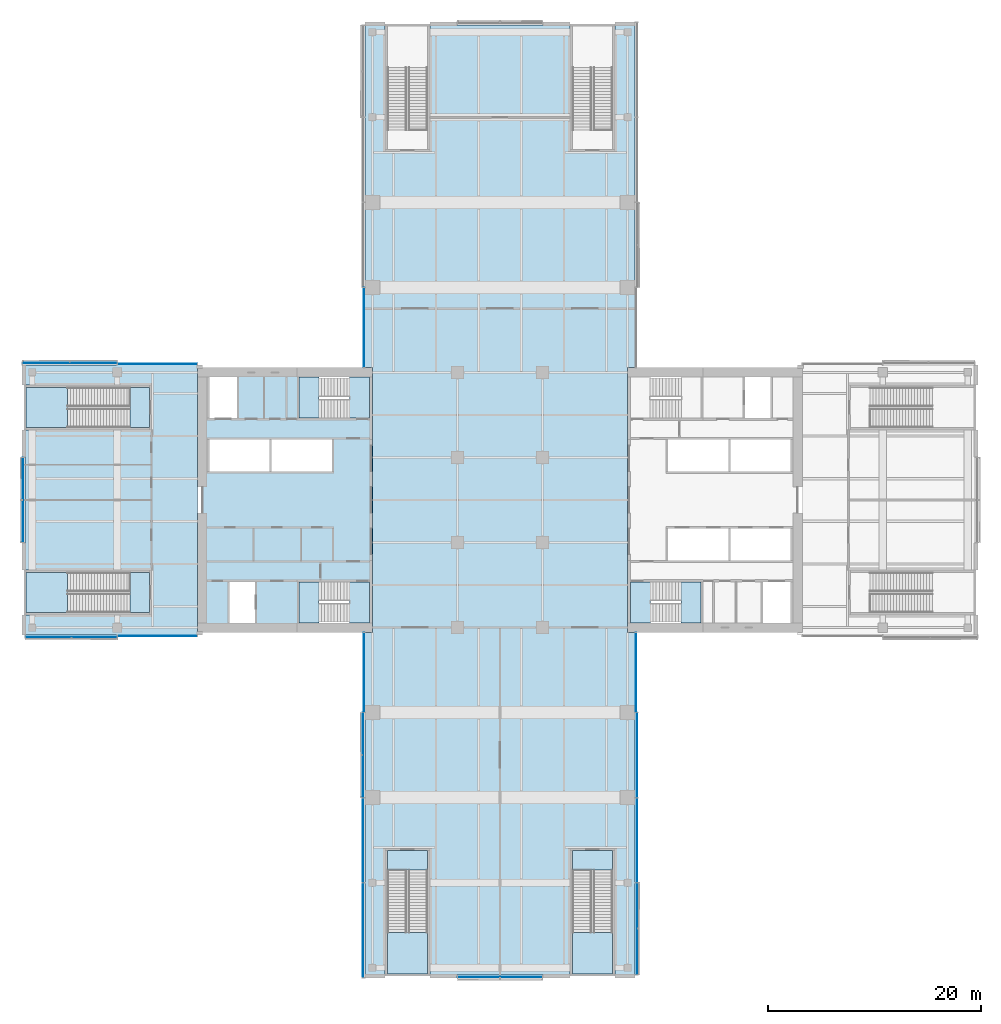
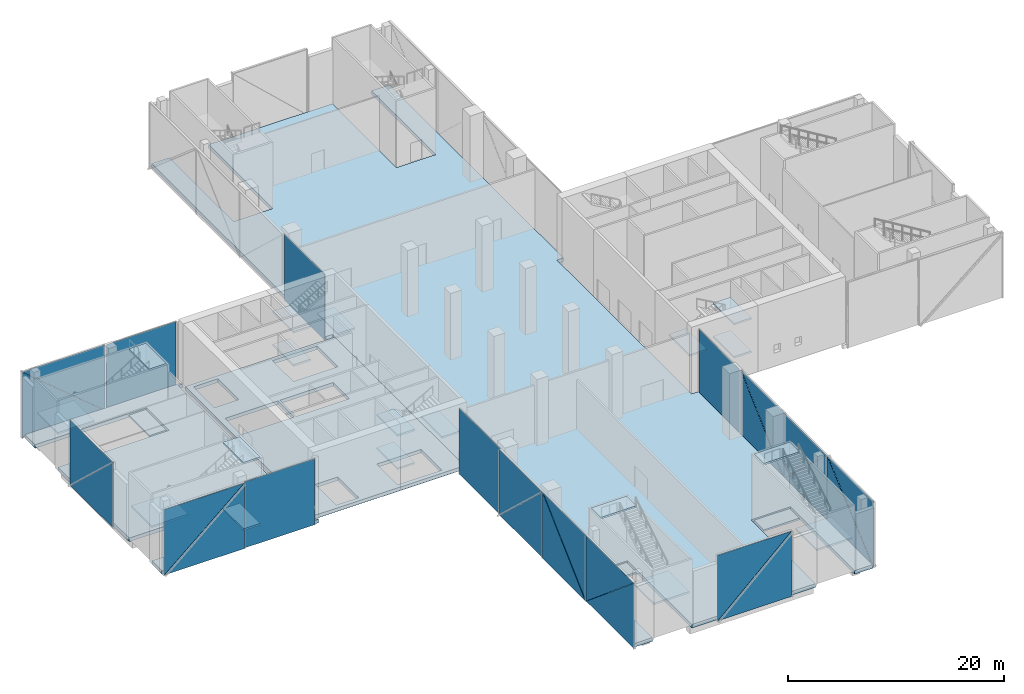
# One storey, part 12 of 25: 25 plates, 24 slabs, 18 elements without a shape of their own.
"""IFC4 building model written with IfcOpenShell, lengths in metres."""

from ifc_helpers import new_model, si_unit, direction, frame, origin, place, context, subcontext, project, spatial, polyline, outline, extrude, material, layer, layer_set, type_object, element, aggregate, save


model = new_model("IFC4")

# Units and contexts
model_context = context("Model", 3, precision=1e-05, world=origin(), true_north=direction((0.0, 1.0)))
body_context = subcontext(model_context, "Body", "Model", "MODEL_VIEW")
ifc_project = project(units=[si_unit("LENGTHUNIT", "METRE"), si_unit("AREAUNIT", "SQUARE_METRE"), si_unit("VOLUMEUNIT", "CUBIC_METRE"), si_unit("PLANEANGLEUNIT", "RADIAN"), si_unit("MASSUNIT", "GRAM", prefix="KILO")], contexts=[model_context])

# Site, building, storey
site_placement = place(None, origin())
site = spatial("IfcSite", under=ifc_project, at=site_placement, CompositionType="ELEMENT")
building_placement = place(site_placement, origin())
building = spatial("IfcBuilding", under=site, at=building_placement, Name="Crosswind Convention Tower", CompositionType="ELEMENT")
storey_placement = place(building_placement, frame((0.0, 0.0, 34.0)))
storey = spatial("IfcBuildingStorey", under=building, at=storey_placement, Name="L04", CompositionType="ELEMENT", Elevation=34.0)

# Slabs
ifc_material_1 = material(Name="Concrete C40/50", Category="concrete")
ifc_layer_1 = layer(ifc_material_1, 0.39990234375)
ifc_layer_set_1 = layer_set([ifc_layer_1], Name="Concrete C40/50")
slab_type_1 = type_object("IfcSlabType", Name="Composite floor slab 400", PredefinedType="FLOOR", material=ifc_layer_set_1)
slab_1_placement = place(storey_placement, frame((0.0, 0.0, -0.39990234375)))
element("IfcSlab", 1, at=slab_1_placement, inside=storey, type_object=slab_type_1, Name="Floor slab L04 part 1", PredefinedType="FLOOR", context=body_context, shape_type="SweptSolid", body=[
    extrude(outline(polyline([(97.0, 112.449951171875), (96.550048828125, 112.449951171875), (96.550048828125, 87.550048828125), (97.0, 87.550048828125), (97.0, 87.300048828125), (81.0, 87.300048828125), (80.300048828125, 87.300048828125), (80.300048828125, 88.0), (80.300048828125, 89.199951171875), (92.199951171875, 89.199951171875), (92.199951171875, 93.39990234375), (80.300048828125, 93.39990234375), (80.300048828125, 106.60009765625), (92.199951171875, 106.60009765625), (92.199951171875, 110.800048828125), (80.300048828125, 110.800048828125), (80.300048828125, 112.0), (80.300048828125, 112.699951171875), (81.0, 112.699951171875), (97.0, 112.699951171875), (97.0, 112.449951171875)])), origin(), (0.0, 0.0, 1.0), 0.39990234375),
])
slab_2_placement = place(storey_placement, frame((0.0, 0.0, -0.39990234375)))
element("IfcSlab", 2, at=slab_2_placement, inside=storey, type_object=slab_type_1, Name="Floor slab L04 part 2", PredefinedType="FLOOR", context=body_context, shape_type="SweptSolid", body=[
    extrude(outline(polyline([(114.199951171875, 132.800048828125), (118.39990234375, 132.800048828125), (118.39990234375, 144.699951171875), (131.60009765625, 144.699951171875), (131.60009765625, 132.800048828125), (135.800048828125, 132.800048828125), (135.800048828125, 144.699951171875), (137.0, 144.699951171875), (137.699951171875, 144.699951171875), (137.699951171875, 144.0), (137.699951171875, 112.449951171875), (137.0, 112.449951171875), (137.0, 87.550048828125), (137.699951171875, 87.550048828125), (137.699951171875, 56.0), (137.699951171875, 55.300048828125), (137.0, 55.300048828125), (135.800048828125, 55.300048828125), (135.800048828125, 67.199951171875), (131.60009765625, 67.199951171875), (131.60009765625, 55.300048828125), (118.39990234375, 55.300048828125), (118.39990234375, 67.199951171875), (114.199951171875, 67.199951171875), (114.199951171875, 55.300048828125), (113.0, 55.300048828125), (112.300048828125, 55.300048828125), (112.300048828125, 56.0), (112.300048828125, 87.550048828125), (113.0, 87.550048828125), (113.0, 112.449951171875), (112.300048828125, 112.449951171875), (112.300048828125, 144.0), (112.300048828125, 144.699951171875), (113.0, 144.699951171875), (114.199951171875, 144.699951171875), (114.199951171875, 132.800048828125)])), origin(), (0.0, 0.0, 1.0), 0.39990234375),
])
ifc_layer_2 = layer(ifc_material_1, 0.39990234375)
ifc_layer_set_2 = layer_set([ifc_layer_2], Name="Concrete C40/50")
slab_type_2 = type_object("IfcSlabType", Name="Concrete core floor slab 400", PredefinedType="FLOOR", material=ifc_layer_set_2)
slab_3_placement = place(storey_placement, frame((0.0, 0.0, -0.39990234375)))
element("IfcSlab", 3, at=slab_3_placement, inside=storey, type_object=slab_type_2, Name="Core floor slab W L04", PredefinedType="FLOOR", context=body_context, shape_type="SweptSolid", body=[
    extrude(outline(polyline([(97.0, 88.0), (113.0, 88.0), (113.0, 112.0), (97.0, 112.0), (97.0, 88.0)]), holes=[polyline([(109.199951171875, 102.699951171875), (109.199951171875, 105.699951171875), (103.5, 105.699951171875), (103.5, 102.699951171875), (109.199951171875, 102.699951171875)]), polyline([(103.300048828125, 102.699951171875), (103.300048828125, 105.699951171875), (97.64990234375, 105.699951171875), (97.64990234375, 102.699951171875), (103.300048828125, 102.699951171875)]), polyline([(101.949951171875, 88.449951171875), (101.949951171875, 92.300048828125), (99.550048828125, 92.300048828125), (99.550048828125, 88.449951171875), (101.949951171875, 88.449951171875)]), polyline([(100.25, 107.699951171875), (100.25, 111.550048828125), (97.64990234375, 111.550048828125), (97.64990234375, 107.699951171875), (100.25, 107.699951171875)]), polyline([(110.85009765625, 88.449951171875), (110.85009765625, 92.300048828125), (106.10009765625, 92.300048828125), (106.10009765625, 88.449951171875), (110.85009765625, 88.449951171875)]), polyline([(110.85009765625, 107.699951171875), (110.85009765625, 111.550048828125), (106.10009765625, 111.550048828125), (106.10009765625, 107.699951171875), (110.85009765625, 107.699951171875)])]), origin(), (0.0, 0.0, 1.0), 0.39990234375),
])

# Stair, slabs
stair_type_1 = type_object("IfcStairType", Name="PODIUM EXIT STAIR 7500 RISE", PredefinedType="HALF_TURN_STAIR", material=ifc_material_1)
stair_1_placement = place(storey_placement, origin())
stair_1 = element("IfcStair", 4, at=stair_1_placement, inside=storey, type_object=stair_type_1, Name="Exit stair S1 L04", ObjectType="ST11", PredefinedType="HALF_TURN_STAIR")
ifc_layer_3 = layer(ifc_material_1, 0.199951171875)
ifc_layer_set_3 = layer_set([ifc_layer_3], Name="Concrete C40/50")
slab_type_3 = type_object("IfcSlabType", Name="PODIUM STAIR LANDING 200 FOR 22 RISERS", PredefinedType="LANDING", material=ifc_layer_set_3)
slab_4_placement = place(storey_placement, frame((0.0, 0.0, 3.550048828125)))
slab_4 = element("IfcSlab", 5, at=slab_4_placement, type_object=slab_type_3, Name="ST11 landing 1", PredefinedType="LANDING", context=body_context, shape_type="SweptSolid", body=[
    extrude(outline(polyline([(114.39990234375, 59.320068359375), (114.39990234375, 55.39990234375), (118.199951171875, 55.39990234375), (118.199951171875, 59.320068359375), (114.39990234375, 59.320068359375)])), origin(), (0.0, 0.0, 1.0), 0.199951171875),
])
slab_5_placement = place(storey_placement, frame((0.0, 0.0, -0.199951171875)))
slab_5 = element("IfcSlab", 6, at=slab_5_placement, type_object=slab_type_3, Name="ST11 landing 2", PredefinedType="LANDING", context=body_context, shape_type="SweptSolid", body=[
    extrude(outline(polyline([(114.39990234375, 67.0), (114.39990234375, 65.199951171875), (118.199951171875, 65.199951171875), (118.199951171875, 67.0), (114.39990234375, 67.0)])), origin(), (0.0, 0.0, 1.0), 0.199951171875),
])
slab_6_placement = place(storey_placement, frame((0.0, 0.0, 7.300048828125)))
slab_6 = element("IfcSlab", 7, at=slab_6_placement, type_object=slab_type_3, Name="ST11 landing 3", PredefinedType="LANDING", context=body_context, shape_type="SweptSolid", body=[
    extrude(outline(polyline([(114.39990234375, 67.0), (114.39990234375, 65.199951171875), (118.199951171875, 65.199951171875), (118.199951171875, 67.0), (114.39990234375, 67.0)])), origin(), (0.0, 0.0, 1.0), 0.199951171875),
])
aggregate(stair_1, [slab_4, slab_5, slab_6])

stair_2_placement = place(storey_placement, origin())
stair_2 = element("IfcStair", 8, at=stair_2_placement, inside=storey, type_object=stair_type_1, Name="Exit stair S2 L04", ObjectType="ST11", PredefinedType="HALF_TURN_STAIR")
slab_7_placement = place(storey_placement, frame((0.0, 0.0, 3.550048828125)))
slab_7 = element("IfcSlab", 9, at=slab_7_placement, type_object=slab_type_3, Name="ST11 landing 1", PredefinedType="LANDING", context=body_context, shape_type="SweptSolid", body=[
    extrude(outline(polyline([(131.800048828125, 59.320068359375), (131.800048828125, 55.39990234375), (135.60009765625, 55.39990234375), (135.60009765625, 59.320068359375), (131.800048828125, 59.320068359375)])), origin(), (0.0, 0.0, 1.0), 0.199951171875),
])
slab_8_placement = place(storey_placement, frame((0.0, 0.0, -0.199951171875)))
slab_8 = element("IfcSlab", 10, at=slab_8_placement, type_object=slab_type_3, Name="ST11 landing 2", PredefinedType="LANDING", context=body_context, shape_type="SweptSolid", body=[
    extrude(outline(polyline([(131.800048828125, 67.0), (131.800048828125, 65.199951171875), (135.60009765625, 65.199951171875), (135.60009765625, 67.0), (131.800048828125, 67.0)])), origin(), (0.0, 0.0, 1.0), 0.199951171875),
])
slab_9_placement = place(storey_placement, frame((0.0, 0.0, 7.300048828125)))
slab_9 = element("IfcSlab", 11, at=slab_9_placement, type_object=slab_type_3, Name="ST11 landing 3", PredefinedType="LANDING", context=body_context, shape_type="SweptSolid", body=[
    extrude(outline(polyline([(131.800048828125, 67.0), (131.800048828125, 65.199951171875), (135.60009765625, 65.199951171875), (135.60009765625, 67.0), (131.800048828125, 67.0)])), origin(), (0.0, 0.0, 1.0), 0.199951171875),
])
aggregate(stair_2, [slab_7, slab_8, slab_9])

stair_3_placement = place(storey_placement, origin())
stair_3 = element("IfcStair", 12, at=stair_3_placement, inside=storey, type_object=stair_type_1, Name="Exit stair W1 L04", ObjectType="ST11", PredefinedType="HALF_TURN_STAIR")
slab_10_placement = place(storey_placement, frame((0.0, 0.0, 3.550048828125)))
slab_10 = element("IfcSlab", 13, at=slab_10_placement, type_object=slab_type_3, Name="ST11 landing 1", PredefinedType="LANDING", context=body_context, shape_type="SweptSolid", body=[
    extrude(outline(polyline([(84.320068359375, 93.199951171875), (80.39990234375, 93.199951171875), (80.39990234375, 89.39990234375), (84.320068359375, 89.39990234375), (84.320068359375, 93.199951171875)])), origin(), (0.0, 0.0, 1.0), 0.199951171875),
])
slab_11_placement = place(storey_placement, frame((0.0, 0.0, -0.199951171875)))
slab_11 = element("IfcSlab", 14, at=slab_11_placement, type_object=slab_type_3, Name="ST11 landing 2", PredefinedType="LANDING", context=body_context, shape_type="SweptSolid", body=[
    extrude(outline(polyline([(92.0, 93.199951171875), (90.199951171875, 93.199951171875), (90.199951171875, 89.39990234375), (92.0, 89.39990234375), (92.0, 93.199951171875)])), origin(), (0.0, 0.0, 1.0), 0.199951171875),
])
slab_12_placement = place(storey_placement, frame((0.0, 0.0, 7.300048828125)))
slab_12 = element("IfcSlab", 15, at=slab_12_placement, type_object=slab_type_3, Name="ST11 landing 3", PredefinedType="LANDING", context=body_context, shape_type="SweptSolid", body=[
    extrude(outline(polyline([(92.0, 93.199951171875), (90.199951171875, 93.199951171875), (90.199951171875, 89.39990234375), (92.0, 89.39990234375), (92.0, 93.199951171875)])), origin(), (0.0, 0.0, 1.0), 0.199951171875),
])
aggregate(stair_3, [slab_10, slab_11, slab_12])

stair_4_placement = place(storey_placement, origin())
stair_4 = element("IfcStair", 16, at=stair_4_placement, inside=storey, type_object=stair_type_1, Name="Exit stair W2 L04", ObjectType="ST11", PredefinedType="HALF_TURN_STAIR")
slab_13_placement = place(storey_placement, frame((0.0, 0.0, 3.550048828125)))
slab_13 = element("IfcSlab", 17, at=slab_13_placement, type_object=slab_type_3, Name="ST11 landing 1", PredefinedType="LANDING", context=body_context, shape_type="SweptSolid", body=[
    extrude(outline(polyline([(84.320068359375, 110.60009765625), (80.39990234375, 110.60009765625), (80.39990234375, 106.800048828125), (84.320068359375, 106.800048828125), (84.320068359375, 110.60009765625)])), origin(), (0.0, 0.0, 1.0), 0.199951171875),
])
slab_14_placement = place(storey_placement, frame((0.0, 0.0, -0.199951171875)))
slab_14 = element("IfcSlab", 18, at=slab_14_placement, type_object=slab_type_3, Name="ST11 landing 2", PredefinedType="LANDING", context=body_context, shape_type="SweptSolid", body=[
    extrude(outline(polyline([(92.0, 110.60009765625), (90.199951171875, 110.60009765625), (90.199951171875, 106.800048828125), (92.0, 106.800048828125), (92.0, 110.60009765625)])), origin(), (0.0, 0.0, 1.0), 0.199951171875),
])
slab_15_placement = place(storey_placement, frame((0.0, 0.0, 7.300048828125)))
slab_15 = element("IfcSlab", 19, at=slab_15_placement, type_object=slab_type_3, Name="ST11 landing 3", PredefinedType="LANDING", context=body_context, shape_type="SweptSolid", body=[
    extrude(outline(polyline([(92.0, 110.60009765625), (90.199951171875, 110.60009765625), (90.199951171875, 106.800048828125), (92.0, 106.800048828125), (92.0, 110.60009765625)])), origin(), (0.0, 0.0, 1.0), 0.199951171875),
])
aggregate(stair_4, [slab_13, slab_14, slab_15])

stair_type_2 = type_object("IfcStairType", Name="Exit stair 1800 wide, 4 flights of 11 risers", PredefinedType="HALF_TURN_STAIR", material=ifc_material_1)
stair_5_placement = place(storey_placement, origin())
stair_5 = element("IfcStair", 20, at=stair_5_placement, inside=storey, type_object=stair_type_2, Name="Exit stair ST2 L04", ObjectType="ST6", PredefinedType="HALF_TURN_STAIR")
ifc_layer_4 = layer(ifc_material_1, 0.199951171875)
ifc_layer_set_4 = layer_set([ifc_layer_4], Name="Concrete C40/50")
slab_type_4 = type_object("IfcSlabType", Name="Stair landing 200", PredefinedType="LANDING", material=ifc_layer_set_4)
slab_16_placement = place(storey_placement, frame((0.0, 0.0, 1.675048828125)))
slab_16 = element("IfcSlab", 21, at=slab_16_placement, type_object=slab_type_4, Name="ST2 landing 1", PredefinedType="LANDING", context=body_context, shape_type="SweptSolid", body=[
    extrude(outline(polyline([(143.89990234375, 88.449951171875), (143.89990234375, 92.300048828125), (142.050048828125, 92.300048828125), (142.050048828125, 88.449951171875), (143.89990234375, 88.449951171875)])), origin(), (0.0, 0.0, 1.0), 0.199951171875),
])
slab_17_placement = place(storey_placement, frame((0.0, 0.0, 3.550048828125)))
slab_17 = element("IfcSlab", 22, at=slab_17_placement, type_object=slab_type_4, Name="ST2 landing 2", PredefinedType="LANDING", context=body_context, shape_type="SweptSolid", body=[
    extrude(outline(polyline([(139.14990234375, 88.449951171875), (139.14990234375, 92.300048828125), (137.300048828125, 92.300048828125), (137.300048828125, 88.449951171875), (139.14990234375, 88.449951171875)])), origin(), (0.0, 0.0, 1.0), 0.199951171875),
])
slab_18_placement = place(storey_placement, frame((0.0, 0.0, 5.425048828125)))
slab_18 = element("IfcSlab", 23, at=slab_18_placement, type_object=slab_type_4, Name="ST2 landing 3", PredefinedType="LANDING", context=body_context, shape_type="SweptSolid", body=[
    extrude(outline(polyline([(143.89990234375, 88.449951171875), (143.89990234375, 92.300048828125), (142.050048828125, 92.300048828125), (142.050048828125, 88.449951171875), (143.89990234375, 88.449951171875)])), origin(), (0.0, 0.0, 1.0), 0.199951171875),
])
aggregate(stair_5, [slab_16, slab_17, slab_18])

stair_6_placement = place(storey_placement, origin())
stair_6 = element("IfcStair", 24, at=stair_6_placement, inside=storey, type_object=stair_type_2, Name="Exit stair ST3 L04", ObjectType="ST6", PredefinedType="HALF_TURN_STAIR")
slab_19_placement = place(storey_placement, frame((0.0, 0.0, 1.675048828125)))
slab_19 = element("IfcSlab", 25, at=slab_19_placement, type_object=slab_type_4, Name="ST3 landing 1", PredefinedType="LANDING", context=body_context, shape_type="SweptSolid", body=[
    extrude(outline(polyline([(107.949951171875, 88.449951171875), (107.949951171875, 92.300048828125), (106.10009765625, 92.300048828125), (106.10009765625, 88.449951171875), (107.949951171875, 88.449951171875)])), origin(), (0.0, 0.0, 1.0), 0.199951171875),
])
slab_20_placement = place(storey_placement, frame((0.0, 0.0, 3.550048828125)))
slab_20 = element("IfcSlab", 26, at=slab_20_placement, type_object=slab_type_4, Name="ST3 landing 2", PredefinedType="LANDING", context=body_context, shape_type="SweptSolid", body=[
    extrude(outline(polyline([(112.699951171875, 88.449951171875), (112.699951171875, 92.300048828125), (110.85009765625, 92.300048828125), (110.85009765625, 88.449951171875), (112.699951171875, 88.449951171875)])), origin(), (0.0, 0.0, 1.0), 0.199951171875),
])
slab_21_placement = place(storey_placement, frame((0.0, 0.0, 5.425048828125)))
slab_21 = element("IfcSlab", 27, at=slab_21_placement, type_object=slab_type_4, Name="ST3 landing 3", PredefinedType="LANDING", context=body_context, shape_type="SweptSolid", body=[
    extrude(outline(polyline([(107.949951171875, 88.449951171875), (107.949951171875, 92.300048828125), (106.10009765625, 92.300048828125), (106.10009765625, 88.449951171875), (107.949951171875, 88.449951171875)])), origin(), (0.0, 0.0, 1.0), 0.199951171875),
])
aggregate(stair_6, [slab_19, slab_20, slab_21])

stair_7_placement = place(storey_placement, origin())
stair_7 = element("IfcStair", 28, at=stair_7_placement, inside=storey, type_object=stair_type_2, Name="Exit stair ST4 L04", ObjectType="ST6", PredefinedType="HALF_TURN_STAIR")
slab_22_placement = place(storey_placement, frame((0.0, 0.0, 1.675048828125)))
slab_22 = element("IfcSlab", 29, at=slab_22_placement, type_object=slab_type_4, Name="ST4 landing 1", PredefinedType="LANDING", context=body_context, shape_type="SweptSolid", body=[
    extrude(outline(polyline([(107.949951171875, 107.699951171875), (107.949951171875, 111.550048828125), (106.10009765625, 111.550048828125), (106.10009765625, 107.699951171875), (107.949951171875, 107.699951171875)])), origin(), (0.0, 0.0, 1.0), 0.199951171875),
])
slab_23_placement = place(storey_placement, frame((0.0, 0.0, 3.550048828125)))
slab_23 = element("IfcSlab", 30, at=slab_23_placement, type_object=slab_type_4, Name="ST4 landing 2", PredefinedType="LANDING", context=body_context, shape_type="SweptSolid", body=[
    extrude(outline(polyline([(112.699951171875, 107.699951171875), (112.699951171875, 111.550048828125), (110.85009765625, 111.550048828125), (110.85009765625, 107.699951171875), (112.699951171875, 107.699951171875)])), origin(), (0.0, 0.0, 1.0), 0.199951171875),
])
slab_24_placement = place(storey_placement, frame((0.0, 0.0, 5.425048828125)))
slab_24 = element("IfcSlab", 31, at=slab_24_placement, type_object=slab_type_4, Name="ST4 landing 3", PredefinedType="LANDING", context=body_context, shape_type="SweptSolid", body=[
    extrude(outline(polyline([(107.949951171875, 107.699951171875), (107.949951171875, 111.550048828125), (106.10009765625, 111.550048828125), (106.10009765625, 107.699951171875), (107.949951171875, 107.699951171875)])), origin(), (0.0, 0.0, 1.0), 0.199951171875),
])
aggregate(stair_7, [slab_22, slab_23, slab_24])

# Curtain wall, plate
ifc_material_2 = material(Name="Aluminium unitised curtain wall", Category="aluminium")
curtain_wall_type_1 = type_object("IfcCurtainWallType", Name="CORE END SLOT WALL 160", PredefinedType="USERDEFINED", material=ifc_material_2)
curtain_wall_1_placement = place(storey_placement, origin())
curtain_wall_1 = element("IfcCurtainWall", 32, at=curtain_wall_1_placement, inside=storey, type_object=curtain_wall_type_1, Name="CW6 L04 N-W.1-4 slot", ObjectType="UNITISED", PredefinedType="USERDEFINED")
ifc_material_3 = material(Name="Laminated insulating glass unit", Category="glass")
ifc_layer_5 = layer(ifc_material_3, 0.02587890625)
ifc_layer_set_5 = layer_set([ifc_layer_5], Name="TRIANGULAR GLASS PANEL 26")
plate_type_1 = type_object("IfcPlateType", Name="TRIANGULAR GLASS PANEL 26", PredefinedType="CURTAIN_PANEL", material=ifc_layer_set_5)
plate_1_placement = place(storey_placement, frame((112.192626953125, 119.949951171875, -0.39990234375), z_axis=(-0.999999922678, 0.0, 0.000393249191), x_axis=(0.0, -1.0, 0.0)))
plate_1 = element("IfcPlate", 33, at=plate_1_placement, type_object=plate_type_1, Name="CW6 panel 1.1", PredefinedType="CURTAIN_PANEL", context=body_context, shape_type="SweptSolid", body=[
    extrude(outline(polyline([(0.0, 0.0), (7.449951171875, 0.0), (7.449951171875, 7.449951747923642), (0.0, 7.449951747923642), (0.0, 0.0)])), origin(), (0.0, 0.0, -1.0), 0.02587890625),
])
aggregate(curtain_wall_1, [plate_1])

curtain_wall_2_placement = place(storey_placement, origin())
curtain_wall_2 = element("IfcCurtainWall", 34, at=curtain_wall_2_placement, inside=storey, type_object=curtain_wall_type_1, Name="CW6 L04 W-N.2-1 slot", ObjectType="UNITISED", PredefinedType="USERDEFINED")
plate_2_placement = place(storey_placement, frame((96.5, 112.807373046875, -0.39990234375), z_axis=(0.0, 0.999999922678, 0.000393249191), x_axis=(-1.0, 0.0, 0.0)))
plate_2 = element("IfcPlate", 35, at=plate_2_placement, type_object=plate_type_1, Name="CW6 panel 1.1", PredefinedType="CURTAIN_PANEL", context=body_context, shape_type="SweptSolid", body=[
    extrude(outline(polyline([(0.0, 0.0), (7.449951171875, 0.0), (7.449951171875, 7.449951747923642), (0.0, 7.449951747923642), (0.0, 0.0)])), origin(), (0.0, 0.0, -1.0), 0.02587890625),
])
aggregate(curtain_wall_2, [plate_2])

curtain_wall_3_placement = place(storey_placement, origin())
curtain_wall_3 = element("IfcCurtainWall", 36, at=curtain_wall_3_placement, inside=storey, type_object=curtain_wall_type_1, Name="CW6 L04 W-S.1-2 slot", ObjectType="UNITISED", PredefinedType="USERDEFINED")
plate_3_placement = place(storey_placement, frame((89.050048828125, 87.192626953125, -0.39990234375), z_axis=(0.0, -0.999999922678, 0.000393249191), x_axis=(1.0, 0.0, 0.0)))
plate_3 = element("IfcPlate", 37, at=plate_3_placement, type_object=plate_type_1, Name="CW6 panel 1.1", PredefinedType="CURTAIN_PANEL", context=body_context, shape_type="SweptSolid", body=[
    extrude(outline(polyline([(0.0, 0.0), (7.449951171875, 0.0), (7.449951171875, 7.449951747923642), (0.0, 7.449951747923642), (0.0, 0.0)])), origin(), (0.0, 0.0, -1.0), 0.02587890625),
])
aggregate(curtain_wall_3, [plate_3])

curtain_wall_4_placement = place(storey_placement, origin())
curtain_wall_4 = element("IfcCurtainWall", 38, at=curtain_wall_4_placement, inside=storey, type_object=curtain_wall_type_1, Name="CW6 L04 S-W.1-1 slot", ObjectType="UNITISED", PredefinedType="USERDEFINED")
plate_4_placement = place(storey_placement, frame((112.192626953125, 87.5, -0.39990234375), z_axis=(-0.999999922678, 0.0, 0.000393249191), x_axis=(0.0, -1.0, 0.0)))
plate_4 = element("IfcPlate", 39, at=plate_4_placement, type_object=plate_type_1, Name="CW6 panel 1.1", PredefinedType="CURTAIN_PANEL", context=body_context, shape_type="SweptSolid", body=[
    extrude(outline(polyline([(0.0, 0.0), (7.449951171875, 0.0), (7.449951171875, 7.449951747923642), (0.0, 7.449951747923642), (0.0, 0.0)])), origin(), (0.0, 0.0, -1.0), 0.02587890625),
])
aggregate(curtain_wall_4, [plate_4])

curtain_wall_5_placement = place(storey_placement, origin())
curtain_wall_5 = element("IfcCurtainWall", 40, at=curtain_wall_5_placement, inside=storey, type_object=curtain_wall_type_1, Name="CW6 L04 S-E.1-4 slot", ObjectType="UNITISED", PredefinedType="USERDEFINED")
plate_5_placement = place(storey_placement, frame((137.807373046875, 80.050048828125, -0.39990234375), z_axis=(0.999999922678, 0.0, 0.000393249191), x_axis=(0.0, 1.0, 0.0)))
plate_5 = element("IfcPlate", 41, at=plate_5_placement, type_object=plate_type_1, Name="CW6 panel 1.1", PredefinedType="CURTAIN_PANEL", context=body_context, shape_type="SweptSolid", body=[
    extrude(outline(polyline([(0.0, 0.0), (7.449951171875, 0.0), (7.449951171875, 7.449951747923642), (0.0, 7.449951747923642), (0.0, 0.0)])), origin(), (0.0, 0.0, -1.0), 0.02587890625),
])
aggregate(curtain_wall_5, [plate_5])

# Curtain wall, plates
curtain_wall_type_2 = type_object("IfcCurtainWallType", Name="PODIUM UNITISED WALL 300", PredefinedType="USERDEFINED", material=ifc_material_2)
curtain_wall_6_placement = place(storey_placement, origin())
curtain_wall_6 = element("IfcCurtainWall", 42, at=curtain_wall_6_placement, inside=storey, type_object=curtain_wall_type_2, Name="CW1 L04 W-N 2", ObjectType="UNITISED", PredefinedType="USERDEFINED")
ifc_layer_6 = layer(ifc_material_3, 0.035888671875)
ifc_layer_set_6 = layer_set([ifc_layer_6], Name="TRIANGULAR GLASS PANEL 36")
plate_type_2 = type_object("IfcPlateType", Name="TRIANGULAR GLASS PANEL 36", PredefinedType="CURTAIN_PANEL", material=ifc_layer_set_6)
plate_6_placement = place(storey_placement, frame((80.094970703125, 112.887451171875, -0.39990234375), z_axis=(0.0, 0.999999921778, 0.000395530474), x_axis=(0.0, -0.000395530474, 0.999999921778)))
plate_6 = element("IfcPlate", 43, at=plate_6_placement, type_object=plate_type_2, Name="CW1 panel 1.1", PredefinedType="CURTAIN_PANEL", context=body_context, shape_type="SweptSolid", body=[
    extrude(outline(polyline([(0.0, 0.0), (7.406983001265367, 0.0), (0.0, 8.849365234375002), (0.0, 0.0)])), origin(), (0.0, 0.0, -1.0), 0.035888671875),
])
plate_7_placement = place(storey_placement, frame((88.9599609375, 112.922607421875, 7.02001953125), z_axis=(0.0, 0.999999921778, 0.000395530474), x_axis=(0.0, 0.000395530474, -0.999999921778)))
plate_7 = element("IfcPlate", 44, at=plate_7_placement, type_object=plate_type_2, Name="CW1 panel 1.2", PredefinedType="CURTAIN_PANEL", context=body_context, shape_type="SweptSolid", body=[
    extrude(outline(polyline([(0.0, 0.0), (7.406983001265367, 0.0), (0.0, 8.849365234375002), (0.0, 0.0)])), origin(), (0.0, 0.0, -1.0), 0.035888671875),
])
aggregate(curtain_wall_6, [plate_6, plate_7])

curtain_wall_7_placement = place(storey_placement, origin())
curtain_wall_7 = element("IfcCurtainWall", 45, at=curtain_wall_7_placement, inside=storey, type_object=curtain_wall_type_2, Name="CW1 L04 W-TIP 1", ObjectType="UNITISED", PredefinedType="USERDEFINED")
plate_8_placement = place(storey_placement, frame((80.112548828125, 96.0400390625, -0.39990234375), z_axis=(-0.999999921762, 0.0, 0.000395569589), x_axis=(0.000395569589, 0.0, 0.999999921762)))
plate_8 = element("IfcPlate", 46, at=plate_8_placement, type_object=plate_type_2, Name="CW1 panel 1.1", PredefinedType="CURTAIN_PANEL", context=body_context, shape_type="SweptSolid", body=[
    extrude(outline(polyline([(0.0, 0.0), (7.406250579447663, 0.0), (0.0, 7.9052734375), (0.0, 0.0)])), origin(), (0.0, 0.0, -1.0), 0.035888671875),
])
plate_9_placement = place(storey_placement, frame((80.077392578125, 103.9599609375, 7.02001953125), z_axis=(-0.999999921762, 0.0, 0.000395569589), x_axis=(-0.000395569589, 0.0, -0.999999921762)))
plate_9 = element("IfcPlate", 47, at=plate_9_placement, type_object=plate_type_2, Name="CW1 panel 1.2", PredefinedType="CURTAIN_PANEL", context=body_context, shape_type="SweptSolid", body=[
    extrude(outline(polyline([(0.0, 0.0), (7.406250579447663, 0.0), (0.0, 7.9052734375), (0.0, 0.0)])), origin(), (0.0, 0.0, -1.0), 0.035888671875),
])
aggregate(curtain_wall_7, [plate_8, plate_9])

curtain_wall_8_placement = place(storey_placement, origin())
curtain_wall_8 = element("IfcCurtainWall", 48, at=curtain_wall_8_placement, inside=storey, type_object=curtain_wall_type_2, Name="CW1 L04 W-S 1", ObjectType="UNITISED", PredefinedType="USERDEFINED")
plate_10_placement = place(storey_placement, frame((88.9599609375, 87.112548828125, -0.39990234375), z_axis=(0.0, -0.999999921773, 0.000395543512), x_axis=(0.0, 0.000395543512, 0.999999921773)))
plate_10 = element("IfcPlate", 49, at=plate_10_placement, type_object=plate_type_2, Name="CW1 panel 1.1", PredefinedType="CURTAIN_PANEL", context=body_context, shape_type="SweptSolid", body=[
    extrude(outline(polyline([(0.0, 0.0), (7.406738860659464, 0.0), (0.0, 8.564697265625), (0.0, 0.0)])), origin(), (0.0, 0.0, -1.0), 0.035888671875),
])
plate_11_placement = place(storey_placement, frame((80.3798828125, 87.077392578125, 7.02001953125), z_axis=(0.0, -0.999999921773, 0.000395543512), x_axis=(0.0, -0.000395543512, -0.999999921773)))
plate_11 = element("IfcPlate", 50, at=plate_11_placement, type_object=plate_type_2, Name="CW1 panel 1.2", PredefinedType="CURTAIN_PANEL", context=body_context, shape_type="SweptSolid", body=[
    extrude(outline(polyline([(0.0, 0.0), (7.406738860659464, 0.0), (0.0, 8.56494140625), (0.0, 0.0)])), origin(), (0.0, 0.0, -1.0), 0.035888671875),
])
aggregate(curtain_wall_8, [plate_10, plate_11])

curtain_wall_9_placement = place(storey_placement, origin())
curtain_wall_9 = element("IfcCurtainWall", 51, at=curtain_wall_9_placement, inside=storey, type_object=curtain_wall_type_2, Name="CW1 L04 S-W 1", ObjectType="UNITISED", PredefinedType="USERDEFINED")
plate_12_placement = place(storey_placement, frame((112.112548828125, 72.0400390625, -0.39990234375), z_axis=(-0.999999921762, 0.0, 0.000395569589), x_axis=(0.000395569589, 0.0, 0.999999921762)))
plate_12 = element("IfcPlate", 52, at=plate_12_placement, type_object=plate_type_2, Name="CW1 panel 1.1", PredefinedType="CURTAIN_PANEL", context=body_context, shape_type="SweptSolid", body=[
    extrude(outline(polyline([(0.0, 0.0), (7.406250579447663, 0.0), (0.0, 7.9052734375), (0.0, 0.0)])), origin(), (0.0, 0.0, -1.0), 0.035888671875),
])
plate_13_placement = place(storey_placement, frame((112.077392578125, 79.9599609375, 7.02001953125), z_axis=(-0.999999921762, 0.0, 0.000395569589), x_axis=(-0.000395569589, 0.0, -0.999999921762)))
plate_13 = element("IfcPlate", 53, at=plate_13_placement, type_object=plate_type_2, Name="CW1 panel 1.2", PredefinedType="CURTAIN_PANEL", context=body_context, shape_type="SweptSolid", body=[
    extrude(outline(polyline([(0.0, 0.0), (7.406250579447663, 0.0), (0.0, 7.9052734375), (0.0, 0.0)])), origin(), (0.0, 0.0, -1.0), 0.035888671875),
])
plate_14_placement = place(storey_placement, frame((112.115478515625, 64.0400390625, 7.02001953125), z_axis=(-0.999999921762, 0.0, 0.000395569589), x_axis=(0.0, 1.0, 0.0)))
plate_14 = element("IfcPlate", 54, at=plate_14_placement, type_object=plate_type_2, Name="CW1 panel 2.1", PredefinedType="CURTAIN_PANEL", context=body_context, shape_type="SweptSolid", body=[
    extrude(outline(polyline([(0.0, 0.0), (7.9052734375, 0.0), (0.0, 7.406250579447663), (0.0, 0.0)])), origin(), (0.0, 0.0, -1.0), 0.035888671875),
])
plate_15_placement = place(storey_placement, frame((112.074462890625, 71.9599609375, -0.39990234375), z_axis=(-0.999999921762, 0.0, 0.000395569589), x_axis=(0.0, -1.0, 0.0)))
plate_15 = element("IfcPlate", 55, at=plate_15_placement, type_object=plate_type_2, Name="CW1 panel 2.2", PredefinedType="CURTAIN_PANEL", context=body_context, shape_type="SweptSolid", body=[
    extrude(outline(polyline([(0.0, 0.0), (7.9052734375, 0.0), (0.0, 7.406250579447663), (0.0, 0.0)])), origin(), (0.0, 0.0, -1.0), 0.035888671875),
])
plate_16_placement = place(storey_placement, frame((112.112548828125, 55.094970703125, -0.39990234375), z_axis=(-0.999999921778, 0.0, 0.000395530474), x_axis=(0.000395530474, 0.0, 0.999999921778)))
plate_16 = element("IfcPlate", 56, at=plate_16_placement, type_object=plate_type_2, Name="CW1 panel 3.1", PredefinedType="CURTAIN_PANEL", context=body_context, shape_type="SweptSolid", body=[
    extrude(outline(polyline([(0.0, 0.0), (7.406983001265367, 0.0), (0.0, 8.849365234375002), (0.0, 0.0)])), origin(), (0.0, 0.0, -1.0), 0.035888671875),
])
plate_17_placement = place(storey_placement, frame((112.077392578125, 63.9599609375, 7.02001953125), z_axis=(-0.999999921778, 0.0, 0.000395530474), x_axis=(-0.000395530474, 0.0, -0.999999921778)))
plate_17 = element("IfcPlate", 57, at=plate_17_placement, type_object=plate_type_2, Name="CW1 panel 3.2", PredefinedType="CURTAIN_PANEL", context=body_context, shape_type="SweptSolid", body=[
    extrude(outline(polyline([(0.0, 0.0), (7.406983001265367, 0.0), (0.0, 8.849365234375002), (0.0, 0.0)])), origin(), (0.0, 0.0, -1.0), 0.035888671875),
])
aggregate(curtain_wall_9, [plate_12, plate_13, plate_14, plate_15, plate_16, plate_17])

curtain_wall_10_placement = place(storey_placement, origin())
curtain_wall_10 = element("IfcCurtainWall", 58, at=curtain_wall_10_placement, inside=storey, type_object=curtain_wall_type_2, Name="CW1 L04 S-TIP 1", ObjectType="UNITISED", PredefinedType="USERDEFINED")
plate_18_placement = place(storey_placement, frame((128.9599609375, 55.112548828125, -0.39990234375), z_axis=(0.0, -0.999999921762, 0.000395569589), x_axis=(0.0, 0.000395569589, 0.999999921762)))
plate_18 = element("IfcPlate", 59, at=plate_18_placement, type_object=plate_type_2, Name="CW1 panel 1.1", PredefinedType="CURTAIN_PANEL", context=body_context, shape_type="SweptSolid", body=[
    extrude(outline(polyline([(0.0, 0.0), (7.406250579447663, 0.0), (0.0, 7.9052734375), (0.0, 0.0)])), origin(), (0.0, 0.0, -1.0), 0.035888671875),
])
plate_19_placement = place(storey_placement, frame((121.0400390625, 55.077392578125, 7.02001953125), z_axis=(0.0, -0.999999921762, 0.000395569589), x_axis=(0.0, -0.000395569589, -0.999999921762)))
plate_19 = element("IfcPlate", 60, at=plate_19_placement, type_object=plate_type_2, Name="CW1 panel 1.2", PredefinedType="CURTAIN_PANEL", context=body_context, shape_type="SweptSolid", body=[
    extrude(outline(polyline([(0.0, 0.0), (7.406250579447663, 0.0), (0.0, 7.9052734375), (0.0, 0.0)])), origin(), (0.0, 0.0, -1.0), 0.035888671875),
])
aggregate(curtain_wall_10, [plate_18, plate_19])

curtain_wall_11_placement = place(storey_placement, origin())
curtain_wall_11 = element("IfcCurtainWall", 61, at=curtain_wall_11_placement, inside=storey, type_object=curtain_wall_type_2, Name="CW1 L04 S-E 1", ObjectType="UNITISED", PredefinedType="USERDEFINED")
plate_20_placement = place(storey_placement, frame((137.887451171875, 63.9599609375, -0.39990234375), z_axis=(0.999999921773, 0.0, 0.000395543512), x_axis=(-0.000395543512, 0.0, 0.999999921773)))
plate_20 = element("IfcPlate", 62, at=plate_20_placement, type_object=plate_type_2, Name="CW1 panel 1.1", PredefinedType="CURTAIN_PANEL", context=body_context, shape_type="SweptSolid", body=[
    extrude(outline(polyline([(0.0, 0.0), (7.406738860659464, 0.0), (0.0, 8.564697265625), (0.0, 0.0)])), origin(), (0.0, 0.0, -1.0), 0.035888671875),
])
plate_21_placement = place(storey_placement, frame((137.922607421875, 55.3798828125, 7.02001953125), z_axis=(0.999999921773, 0.0, 0.000395543512), x_axis=(0.000395543512, 0.0, -0.999999921773)))
plate_21 = element("IfcPlate", 63, at=plate_21_placement, type_object=plate_type_2, Name="CW1 panel 1.2", PredefinedType="CURTAIN_PANEL", context=body_context, shape_type="SweptSolid", body=[
    extrude(outline(polyline([(0.0, 0.0), (7.406738860659464, 0.0), (0.0, 8.56494140625), (0.0, 0.0)])), origin(), (0.0, 0.0, -1.0), 0.035888671875),
])
plate_22_placement = place(storey_placement, frame((137.884521484375, 71.9599609375, 7.02001953125), z_axis=(0.999999921762, 0.0, 0.000395569589), x_axis=(0.0, -1.0, 0.0)))
plate_22 = element("IfcPlate", 64, at=plate_22_placement, type_object=plate_type_2, Name="CW1 panel 2.1", PredefinedType="CURTAIN_PANEL", context=body_context, shape_type="SweptSolid", body=[
    extrude(outline(polyline([(0.0, 0.0), (7.9052734375, 0.0), (0.0, 7.406250579447663), (0.0, 0.0)])), origin(), (0.0, 0.0, -1.0), 0.035888671875),
])
plate_23_placement = place(storey_placement, frame((137.925537109375, 64.0400390625, -0.39990234375), z_axis=(0.999999921762, 0.0, 0.000395569589), x_axis=(0.0, 1.0, 0.0)))
plate_23 = element("IfcPlate", 65, at=plate_23_placement, type_object=plate_type_2, Name="CW1 panel 2.2", PredefinedType="CURTAIN_PANEL", context=body_context, shape_type="SweptSolid", body=[
    extrude(outline(polyline([(0.0, 0.0), (7.9052734375, 0.0), (0.0, 7.406250579447663), (0.0, 0.0)])), origin(), (0.0, 0.0, -1.0), 0.035888671875),
])
plate_24_placement = place(storey_placement, frame((137.887451171875, 79.9599609375, -0.39990234375), z_axis=(0.999999921762, 0.0, 0.000395569589), x_axis=(-0.000395569589, 0.0, 0.999999921762)))
plate_24 = element("IfcPlate", 66, at=plate_24_placement, type_object=plate_type_2, Name="CW1 panel 3.1", PredefinedType="CURTAIN_PANEL", context=body_context, shape_type="SweptSolid", body=[
    extrude(outline(polyline([(0.0, 0.0), (7.406250579447663, 0.0), (0.0, 7.9052734375), (0.0, 0.0)])), origin(), (0.0, 0.0, -1.0), 0.035888671875),
])
plate_25_placement = place(storey_placement, frame((137.922607421875, 72.0400390625, 7.02001953125), z_axis=(0.999999921762, 0.0, 0.000395569589), x_axis=(0.000395569589, 0.0, -0.999999921762)))
plate_25 = element("IfcPlate", 67, at=plate_25_placement, type_object=plate_type_2, Name="CW1 panel 3.2", PredefinedType="CURTAIN_PANEL", context=body_context, shape_type="SweptSolid", body=[
    extrude(outline(polyline([(0.0, 0.0), (7.406250579447663, 0.0), (0.0, 7.9052734375), (0.0, 0.0)])), origin(), (0.0, 0.0, -1.0), 0.035888671875),
])
aggregate(curtain_wall_11, [plate_20, plate_21, plate_22, plate_23, plate_24, plate_25])

save(model, "model.ifc")
